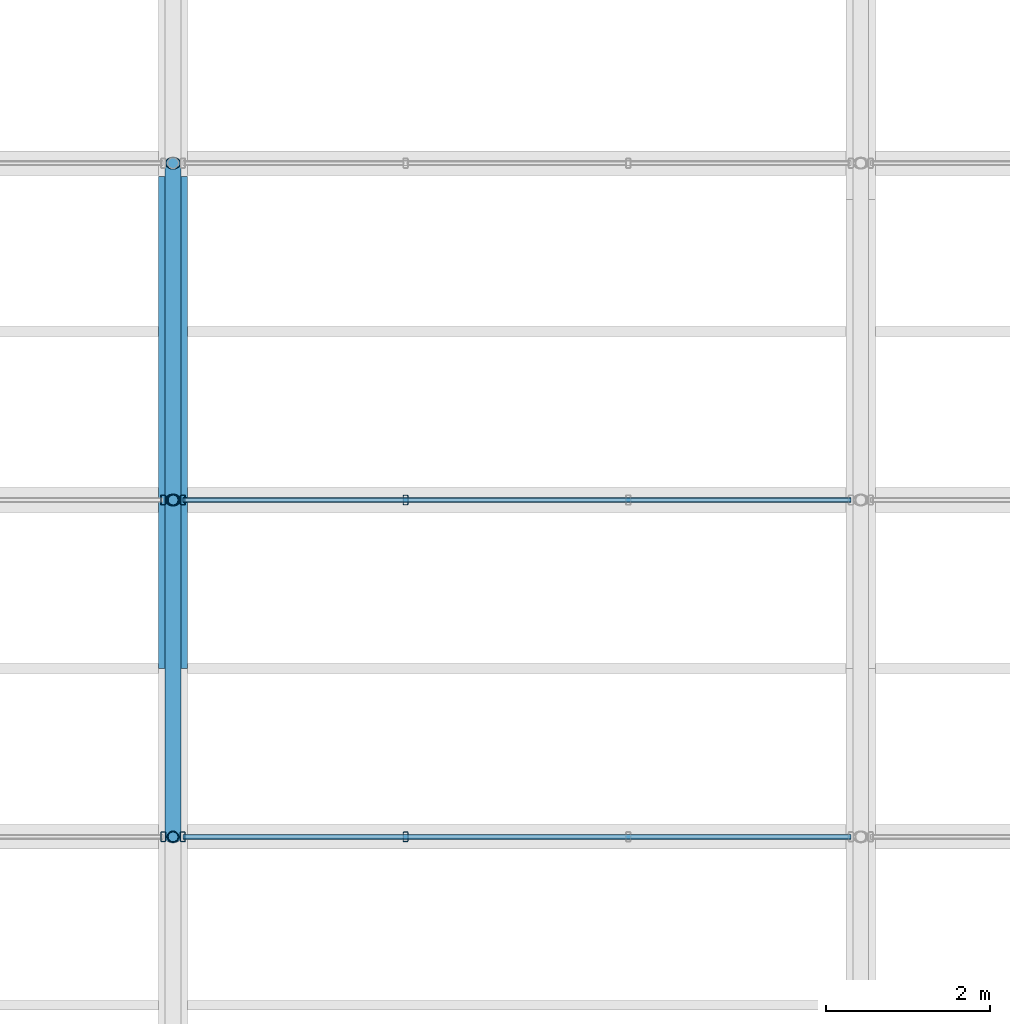
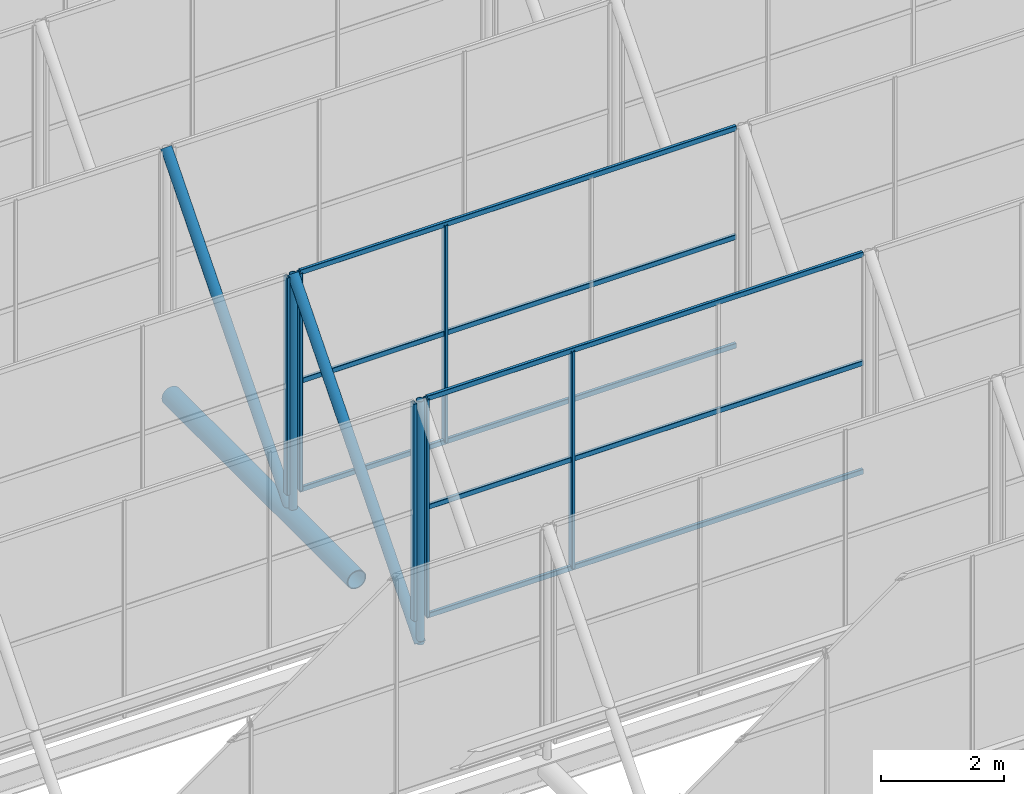
# One storey, part 28 of 77: 17 members, 4 elements without a shape of their own.
"""IFC4 building model written with IfcOpenShell, lengths in metres."""

from ifc_helpers import new_model, si_unit, derived_unit, direction, frame, origin, origin_2d, place, context, subcontext, project, spatial, hollow_rectangle, hollow_circle, extrude, material, material_profile, profile_set, type_object, element, aggregate, save


model = new_model("IFC4")

# Units and contexts
model_context = context("Model", 3, precision=1e-05, world=origin(), true_north=direction((0.0, 1.0)))
body_context = subcontext(model_context, "Body", "Model", "MODEL_VIEW")
ifc_project = project(units=[si_unit("LENGTHUNIT", "METRE"), si_unit("AREAUNIT", "SQUARE_METRE"), si_unit("VOLUMEUNIT", "CUBIC_METRE"), si_unit("PLANEANGLEUNIT", "RADIAN"), si_unit("MASSUNIT", "GRAM", prefix="KILO"), derived_unit("THERMALTRANSMITTANCEUNIT", [(si_unit("MASSUNIT", "GRAM", prefix="KILO"), 1), (si_unit("TIMEUNIT", "SECOND"), -3), (si_unit("THERMODYNAMICTEMPERATUREUNIT", "KELVIN"), -1)])], contexts=[model_context])

# Site, building, storey
site_placement = place(None, origin())
site = spatial("IfcSite", under=ifc_project, at=site_placement, CompositionType="ELEMENT")
building_placement = place(site_placement, origin())
building = spatial("IfcBuilding", under=site, at=building_placement, Name="Kharveza Railside Sports Centre", CompositionType="ELEMENT")
storey_placement = place(building_placement, frame((0.0, 0.0, 17.10009765625)))
storey = spatial("IfcBuildingStorey", under=building, at=storey_placement, Name="L04", CompositionType="ELEMENT", Elevation=17.10009765625)

# Curtain wall, member
ifc_material_1 = material(Name="Low-E solar-control laminated glass", Category="glass")
curtain_wall_type = type_object("IfcCurtainWallType", Name="CW-NL01", PredefinedType="NOTDEFINED", material=ifc_material_1)
curtain_wall_1_placement = place(storey_placement, origin())
curtain_wall_1 = element("IfcCurtainWall", 1, at=curtain_wall_1_placement, inside=storey, type_object=curtain_wall_type, Name="CW-V1NL-3-3", PredefinedType="NOTDEFINED")
ifc_material_2 = material(Name="Anodised aluminium 6063-T6", Category="aluminium")
ifc_material_profile_1 = material_profile(ifc_material_2, hollow_rectangle(XDim=0.06005859375, YDim=0.1201171875, WallThickness=0.0048828125, InnerFilletRadius=0.0048828125, OuterFilletRadius=0.010009765625, at=origin_2d()), Name="RHS 60x120x5.0")
ifc_profile_set_1 = profile_set([ifc_material_profile_1], Name="Anodised aluminium 6063-T6")
member_type_1 = type_object("IfcMemberType", Name="CW-ML05", PredefinedType="MULLION", material=ifc_profile_set_1)
member_1_placement = place(storey_placement, frame((58.679931640625, 48.343017578125, -0.550048828125), z_axis=(0.0, 0.0, 1.0), x_axis=(1.0, 0.0, 0.0)))
member_1 = element("IfcMember", 2, at=member_1_placement, type_object=member_type_1, Name="CW-V1NL-3-3-ML4", PredefinedType="MULLION", context=body_context, shape_type="SweptSolid", body=[
    extrude(hollow_rectangle(XDim=0.06005859375, YDim=0.1201171875, WallThickness=0.0048828125, InnerFilletRadius=0.0048828125, OuterFilletRadius=0.010009765625, at=origin_2d()), origin(), (0.0, 0.0, 1.0), 4.300048828125),
])
aggregate(curtain_wall_1, [member_1])

# Curtain wall, members
curtain_wall_2_placement = place(storey_placement, origin())
curtain_wall_2 = element("IfcCurtainWall", 3, at=curtain_wall_2_placement, inside=storey, type_object=curtain_wall_type, Name="CW-V1NL-3-4", PredefinedType="NOTDEFINED")
member_2_placement = place(storey_placement, frame((58.919921875, 48.343017578125, -0.550048828125), z_axis=(0.0, 0.0, 1.0), x_axis=(1.0, 0.0, 0.0)))
member_2 = element("IfcMember", 4, at=member_2_placement, type_object=member_type_1, Name="CW-V1NL-3-4-ML1", PredefinedType="MULLION", context=body_context, shape_type="SweptSolid", body=[
    extrude(hollow_rectangle(XDim=0.06005859375, YDim=0.1201171875, WallThickness=0.0048828125, InnerFilletRadius=0.0048828125, OuterFilletRadius=0.010009765625, at=origin_2d()), origin(), (0.0, 0.0, 1.0), 4.300048828125),
])
member_3_placement = place(storey_placement, frame((61.639892578125, 48.343017578125, -0.550048828125), z_axis=(0.0, 0.0, 1.0), x_axis=(1.0, 0.0, 0.0)))
member_3 = element("IfcMember", 5, at=member_3_placement, type_object=member_type_1, Name="CW-V1NL-3-4-ML2", PredefinedType="MULLION", context=body_context, shape_type="SweptSolid", body=[
    extrude(hollow_rectangle(XDim=0.06005859375, YDim=0.1201171875, WallThickness=0.0048828125, InnerFilletRadius=0.0048828125, OuterFilletRadius=0.010009765625, at=origin_2d()), origin(), (0.0, 0.0, 1.0), 4.300048828125),
])

# Curtain wall, member
curtain_wall_3_placement = place(storey_placement, origin())
curtain_wall_3 = element("IfcCurtainWall", 6, at=curtain_wall_3_placement, inside=storey, type_object=curtain_wall_type, Name="CW-V1NL-4-3", PredefinedType="NOTDEFINED")
member_4_placement = place(storey_placement, frame((58.679931640625, 52.45703125, -0.550048828125), z_axis=(0.0, 0.0, 1.0), x_axis=(1.0, 0.0, 0.0)))
member_4 = element("IfcMember", 7, at=member_4_placement, type_object=member_type_1, Name="CW-V1NL-4-3-ML4", PredefinedType="MULLION", context=body_context, shape_type="SweptSolid", body=[
    extrude(hollow_rectangle(XDim=0.06005859375, YDim=0.1201171875, WallThickness=0.0048828125, InnerFilletRadius=0.0048828125, OuterFilletRadius=0.010009765625, at=origin_2d()), origin(), (0.0, 0.0, 1.0), 4.300048828125),
])
aggregate(curtain_wall_3, [member_4])

# Curtain wall, members
curtain_wall_4_placement = place(storey_placement, origin())
curtain_wall_4 = element("IfcCurtainWall", 8, at=curtain_wall_4_placement, inside=storey, type_object=curtain_wall_type, Name="CW-V1NL-4-4", PredefinedType="NOTDEFINED")
member_5_placement = place(storey_placement, frame((58.919921875, 52.45703125, -0.550048828125), z_axis=(0.0, 0.0, 1.0), x_axis=(1.0, 0.0, 0.0)))
member_5 = element("IfcMember", 9, at=member_5_placement, type_object=member_type_1, Name="CW-V1NL-4-4-ML1", PredefinedType="MULLION", context=body_context, shape_type="SweptSolid", body=[
    extrude(hollow_rectangle(XDim=0.06005859375, YDim=0.1201171875, WallThickness=0.0048828125, InnerFilletRadius=0.0048828125, OuterFilletRadius=0.010009765625, at=origin_2d()), origin(), (0.0, 0.0, 1.0), 4.300048828125),
])
member_6_placement = place(storey_placement, frame((61.639892578125, 52.45703125, -0.550048828125), z_axis=(0.0, 0.0, 1.0), x_axis=(1.0, 0.0, 0.0)))
member_6 = element("IfcMember", 10, at=member_6_placement, type_object=member_type_1, Name="CW-V1NL-4-4-ML2", PredefinedType="MULLION", context=body_context, shape_type="SweptSolid", body=[
    extrude(hollow_rectangle(XDim=0.06005859375, YDim=0.1201171875, WallThickness=0.0048828125, InnerFilletRadius=0.0048828125, OuterFilletRadius=0.010009765625, at=origin_2d()), origin(), (0.0, 0.0, 1.0), 4.300048828125),
])

# Member
ifc_material_profile_2 = material_profile(ifc_material_2, hollow_rectangle(XDim=0.06005859375, YDim=0.10009765625, WallThickness=0.00390625, InnerFilletRadius=0.00390625, OuterFilletRadius=0.008056640625, at=origin_2d()), Name="RHS 60x100x4.0")
ifc_profile_set_2 = profile_set([ifc_material_profile_2], Name="Anodised aluminium 6063-T6")
member_type_2 = type_object("IfcMemberType", Name="CW-TR05", PredefinedType="USERDEFINED", material=ifc_profile_set_2)
member_7_placement = place(storey_placement, frame((58.919921875, 48.343017578125, -0.550048828125), z_axis=(1.0, 0.0, 0.0), x_axis=(0.0, 1.0, 0.0)))
member_7 = element("IfcMember", 11, at=member_7_placement, type_object=member_type_2, Name="CW-V1NL-3-4-TR1", ObjectType="TRANSOM", PredefinedType="USERDEFINED", context=body_context, shape_type="SweptSolid", body=[
    extrude(hollow_rectangle(XDim=0.06005859375, YDim=0.10009765625, WallThickness=0.00390625, InnerFilletRadius=0.00390625, OuterFilletRadius=0.008056640625, at=origin_2d()), origin(), (0.0, 0.0, 1.0), 8.16015625),
])

member_8_placement = place(storey_placement, frame((58.919921875, 48.343017578125, 1.599853515625), z_axis=(1.0, 0.0, 0.0), x_axis=(0.0, 1.0, 0.0)))
member_8 = element("IfcMember", 12, at=member_8_placement, type_object=member_type_2, Name="CW-V1NL-3-4-TR2", ObjectType="TRANSOM", PredefinedType="USERDEFINED", context=body_context, shape_type="SweptSolid", body=[
    extrude(hollow_rectangle(XDim=0.06005859375, YDim=0.10009765625, WallThickness=0.00390625, InnerFilletRadius=0.00390625, OuterFilletRadius=0.008056640625, at=origin_2d()), origin(), (0.0, 0.0, 1.0), 8.16015625),
])

member_9_placement = place(storey_placement, frame((58.919921875, 48.343017578125, 3.75), z_axis=(1.0, 0.0, 0.0), x_axis=(0.0, 1.0, 0.0)))
member_9 = element("IfcMember", 13, at=member_9_placement, type_object=member_type_2, Name="CW-V1NL-3-4-TR3", ObjectType="TRANSOM", PredefinedType="USERDEFINED", context=body_context, shape_type="SweptSolid", body=[
    extrude(hollow_rectangle(XDim=0.06005859375, YDim=0.10009765625, WallThickness=0.00390625, InnerFilletRadius=0.00390625, OuterFilletRadius=0.008056640625, at=origin_2d()), origin(), (0.0, 0.0, 1.0), 8.16015625),
])

aggregate(curtain_wall_2, [member_2, member_3, member_7, member_8, member_9])

member_10_placement = place(storey_placement, frame((58.919921875, 52.45703125, -0.550048828125), z_axis=(1.0, 0.0, 0.0), x_axis=(0.0, 1.0, 0.0)))
member_10 = element("IfcMember", 14, at=member_10_placement, type_object=member_type_2, Name="CW-V1NL-4-4-TR1", ObjectType="TRANSOM", PredefinedType="USERDEFINED", context=body_context, shape_type="SweptSolid", body=[
    extrude(hollow_rectangle(XDim=0.06005859375, YDim=0.10009765625, WallThickness=0.00390625, InnerFilletRadius=0.00390625, OuterFilletRadius=0.008056640625, at=origin_2d()), origin(), (0.0, 0.0, 1.0), 8.16015625),
])

member_11_placement = place(storey_placement, frame((58.919921875, 52.45703125, 1.599853515625), z_axis=(1.0, 0.0, 0.0), x_axis=(0.0, 1.0, 0.0)))
member_11 = element("IfcMember", 15, at=member_11_placement, type_object=member_type_2, Name="CW-V1NL-4-4-TR2", ObjectType="TRANSOM", PredefinedType="USERDEFINED", context=body_context, shape_type="SweptSolid", body=[
    extrude(hollow_rectangle(XDim=0.06005859375, YDim=0.10009765625, WallThickness=0.00390625, InnerFilletRadius=0.00390625, OuterFilletRadius=0.008056640625, at=origin_2d()), origin(), (0.0, 0.0, 1.0), 8.16015625),
])

member_12_placement = place(storey_placement, frame((58.919921875, 52.45703125, 3.75), z_axis=(1.0, 0.0, 0.0), x_axis=(0.0, 1.0, 0.0)))
member_12 = element("IfcMember", 16, at=member_12_placement, type_object=member_type_2, Name="CW-V1NL-4-4-TR3", ObjectType="TRANSOM", PredefinedType="USERDEFINED", context=body_context, shape_type="SweptSolid", body=[
    extrude(hollow_rectangle(XDim=0.06005859375, YDim=0.10009765625, WallThickness=0.00390625, InnerFilletRadius=0.00390625, OuterFilletRadius=0.008056640625, at=origin_2d()), origin(), (0.0, 0.0, 1.0), 8.16015625),
])

aggregate(curtain_wall_4, [member_5, member_6, member_10, member_11, member_12])

# Members
ifc_material_3 = material(Name="Steel S355J2", Category="steel")
ifc_material_profile_3 = material_profile(ifc_material_3, hollow_circle(Radius=0.177734375, WallThickness=0.01611328125, at=origin_2d()), Name="CHS 355.6x16.0")
ifc_profile_set_3 = profile_set([ifc_material_profile_3], Name="Steel S355J2")
member_type_3 = type_object("IfcMemberType", Name="MB-CH01", PredefinedType="CHORD", material=ifc_profile_set_3)
member_13_placement = place(storey_placement, frame((58.800048828125, 50.39990234375, -1.050048828125), z_axis=(0.0, 1.0, 0.0), x_axis=(-1.0, 0.0, 0.0)))
element("IfcMember", 17, at=member_13_placement, inside=storey, type_object=member_type_3, Name="MB-V1TR-TC-4-5", PredefinedType="CHORD", context=body_context, shape_type="SweptSolid", body=[
    extrude(hollow_circle(Radius=0.177734375, WallThickness=0.01611328125, at=origin_2d()), origin(), (0.0, 0.0, 1.0), 6.009765625),
])
ifc_material_profile_4 = material_profile(ifc_material_3, hollow_circle(Radius=0.096923828125, WallThickness=0.010009765625, at=origin_2d()), Name="CHS 193.7x10.0")
ifc_profile_set_4 = profile_set([ifc_material_profile_4], Name="Steel S355J2")
member_type_4 = type_object("IfcMemberType", Name="MB-ST02", PredefinedType="STRUT", material=ifc_profile_set_4)
member_14_placement = place(storey_placement, frame((58.800048828125, 48.343017578125, -1.050048828125), z_axis=(0.0, 0.649980985845, 0.759950470781), x_axis=(-1.0, 0.0, 0.0)))
element("IfcMember", 18, at=member_14_placement, inside=storey, type_object=member_type_4, Name="MB-V1SAW-RFT-4-4", PredefinedType="STRUT", context=body_context, shape_type="SweptSolid", body=[
    extrude(hollow_circle(Radius=0.096923828125, WallThickness=0.010009765625, at=origin_2d()), origin(), (0.0, 0.0, 1.0), 6.329345703125),
])
member_15_placement = place(storey_placement, frame((58.800048828125, 52.45703125, -1.050048828125), z_axis=(0.0, 0.650003261435, 0.759931418039), x_axis=(-1.0, 0.0, 0.0)))
element("IfcMember", 19, at=member_15_placement, inside=storey, type_object=member_type_4, Name="MB-V1SAW-RFT-5-4", PredefinedType="STRUT", context=body_context, shape_type="SweptSolid", body=[
    extrude(hollow_circle(Radius=0.096923828125, WallThickness=0.010009765625, at=origin_2d()), origin(), (0.0, 0.0, 1.0), 6.32958984375),
])
ifc_material_profile_5 = material_profile(ifc_material_3, hollow_circle(Radius=0.06982421875, WallThickness=0.008056640625, at=origin_2d()), Name="CHS 139.7x8.0")
ifc_profile_set_5 = profile_set([ifc_material_profile_5], Name="Steel S355J2")
member_type_5 = type_object("IfcMemberType", Name="MB-ST04", PredefinedType="STRUT", material=ifc_profile_set_5)
for number, where, z_axis, x_axis, name in (
    (20, (58.800048828125, 48.343017578125, -1.050048828125), (0.0, 0.0, 1.0), (1.0, 0.0, 0.0), "MB-V1SAW-PST-3-4"),
    (21, (58.800048828125, 52.45703125, -1.050048828125), (0.0, 0.0, 1.0), (1.0, 0.0, 0.0), "MB-V1SAW-PST-4-4"),
):
    element("IfcMember", number, at=place(storey_placement, frame(where, z_axis=z_axis, x_axis=x_axis)), inside=storey, type_object=member_type_5, Name=name, PredefinedType="STRUT", context=body_context, shape_type="SweptSolid", body=[
        extrude(hollow_circle(Radius=0.06982421875, WallThickness=0.008056640625, at=origin_2d()), origin(), (0.0, 0.0, 1.0), 4.81005859375),
    ])

save(model, "model.ifc")
